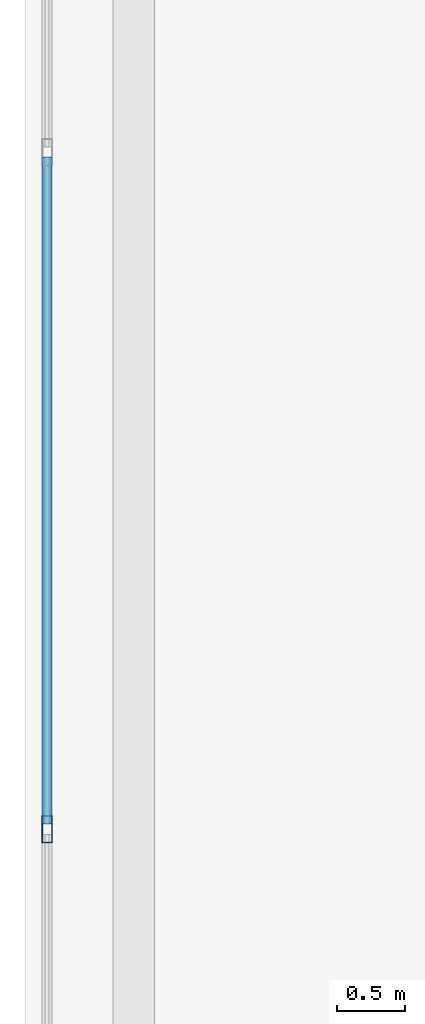
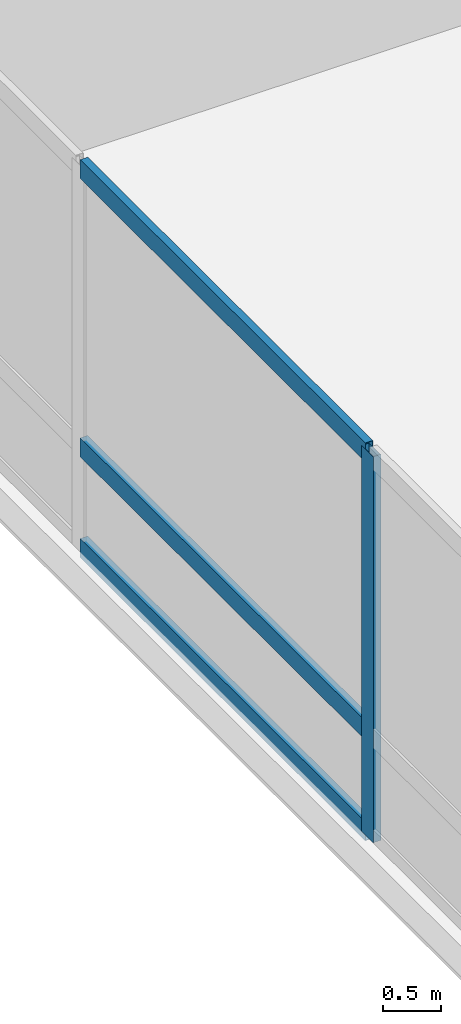
# One storey, part 6 of 26: 4 members, 1 element without a shape of its own.
"""IFC4 building model written with IfcOpenShell, lengths in metres."""

from ifc_helpers import new_model, si_unit, direction, frame, origin, origin_2d, place, context, subcontext, project, spatial, hollow_rectangle, extrude, material, layer, layer_set, material_profile, profile_set, type_object, element, aggregate, save


model = new_model("IFC4")

# Units and contexts
model_context = context("Model", 3, precision=1e-05, world=origin(), true_north=direction((0.0, 1.0)))
body_context = subcontext(model_context, "Body", "Model", "MODEL_VIEW")
ifc_project = project(units=[si_unit("LENGTHUNIT", "METRE"), si_unit("AREAUNIT", "SQUARE_METRE"), si_unit("VOLUMEUNIT", "CUBIC_METRE"), si_unit("PLANEANGLEUNIT", "RADIAN"), si_unit("MASSUNIT", "GRAM", prefix="KILO")], contexts=[model_context])

# Site, building, storey
site_placement = place(None, origin())
site = spatial("IfcSite", under=ifc_project, at=site_placement, CompositionType="ELEMENT")
building_placement = place(site_placement, origin())
building = spatial("IfcBuilding", under=site, at=building_placement, Name="Varnelok Gate Tower", CompositionType="ELEMENT")
storey_placement = place(building_placement, origin())
storey = spatial("IfcBuildingStorey", under=building, at=storey_placement, Name="L00", CompositionType="ELEMENT", Elevation=0.0)

# Curtain wall, members
ifc_material = material(Name="Anodized Aluminum Alloy 6063-T6", Category="aluminium")
ifc_layer = layer(ifc_material, 0.179931640625)
ifc_layer_set = layer_set([ifc_layer], Name="Anodized Aluminum Alloy 6063-T6")
curtain_wall_type = type_object("IfcCurtainWallType", Name="CW1-ARCH-PORTAL", PredefinedType="USERDEFINED", material=ifc_layer_set)
curtain_wall_placement = place(storey_placement, origin())
curtain_wall = element("IfcCurtainWall", 1, at=curtain_wall_placement, inside=storey, type_object=curtain_wall_type, Name="L00 Podium Portal Curtain Wall W", ObjectType="UNITISED CURTAIN WALL", PredefinedType="USERDEFINED")
ifc_material_profile_1 = material_profile(ifc_material, hollow_rectangle(XDim=0.074951171875, YDim=0.199951171875, WallThickness=0.00390625, at=origin_2d()), Name="ALU200X75X4")
ifc_profile_set_1 = profile_set([ifc_material_profile_1], Name="Anodized Aluminum Alloy 6063-T6")
member_type_1 = type_object("IfcMemberType", Name="CW-MULL-200", PredefinedType="MULLION", material=ifc_profile_set_1)
member_1_placement = place(storey_placement, frame((0.159912109375, 25.199951171875, 0.0), z_axis=(0.0, 0.0, 1.0), x_axis=(-1.0, 0.0, 0.0)))
member_1 = element("IfcMember", 2, at=member_1_placement, type_object=member_type_1, Name="CW1 mullion 3", PredefinedType="MULLION", context=body_context, shape_type="SweptSolid", body=[
    extrude(hollow_rectangle(XDim=0.074951171875, YDim=0.199951171875, WallThickness=0.00390625, at=origin_2d()), origin(), (0.0, 0.0, 1.0), 4.070068359375),
])
ifc_material_profile_2 = material_profile(ifc_material, hollow_rectangle(XDim=0.074951171875, YDim=0.199951171875, WallThickness=0.00390625, at=origin_2d()), Name="ALU200X75X4")
ifc_profile_set_2 = profile_set([ifc_material_profile_2], Name="Anodized Aluminum Alloy 6063-T6")
member_type_2 = type_object("IfcMemberType", Name="CW-TRAN-200", PredefinedType="USERDEFINED", material=ifc_profile_set_2)
member_2_placement = place(storey_placement, frame((0.159912109375, 25.237548828125, 0.03759765625), z_axis=(0.0, 1.0, 0.0), x_axis=(-1.0, 0.0, 0.0)))
member_2 = element("IfcMember", 3, at=member_2_placement, type_object=member_type_2, Name="CW1 transom 3.1", ObjectType="TRANSOM", PredefinedType="USERDEFINED", context=body_context, shape_type="SweptSolid", body=[
    extrude(hollow_rectangle(XDim=0.074951171875, YDim=0.199951171875, WallThickness=0.00390625, at=origin_2d()), origin(), (0.0, 0.0, 1.0), 4.925048828125),
])
member_3_placement = place(storey_placement, frame((0.159912109375, 25.237548828125, 1.10009765625), z_axis=(0.0, 1.0, 0.0), x_axis=(-1.0, 0.0, 0.0)))
member_3 = element("IfcMember", 4, at=member_3_placement, type_object=member_type_2, Name="CW1 transom 3.2", ObjectType="TRANSOM", PredefinedType="USERDEFINED", context=body_context, shape_type="SweptSolid", body=[
    extrude(hollow_rectangle(XDim=0.074951171875, YDim=0.199951171875, WallThickness=0.00390625, at=origin_2d()), origin(), (0.0, 0.0, 1.0), 4.925048828125),
])
member_4_placement = place(storey_placement, frame((0.159912109375, 25.237548828125, 4.032470703125), z_axis=(0.0, 1.0, 0.0), x_axis=(-1.0, 0.0, 0.0)))
member_4 = element("IfcMember", 5, at=member_4_placement, type_object=member_type_2, Name="CW1 transom 3.3", ObjectType="TRANSOM", PredefinedType="USERDEFINED", context=body_context, shape_type="SweptSolid", body=[
    extrude(hollow_rectangle(XDim=0.074951171875, YDim=0.199951171875, WallThickness=0.00390625, at=origin_2d()), origin(), (0.0, 0.0, 1.0), 4.925048828125),
])
aggregate(curtain_wall, [member_1, member_2, member_3, member_4])

save(model, "model.ifc")
